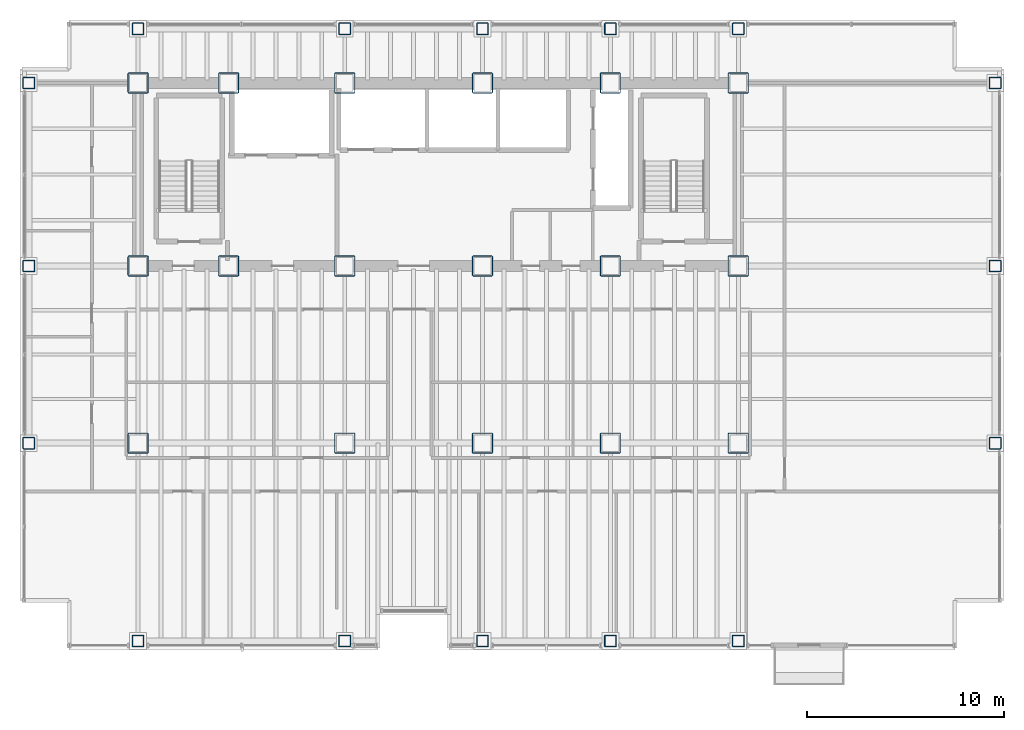
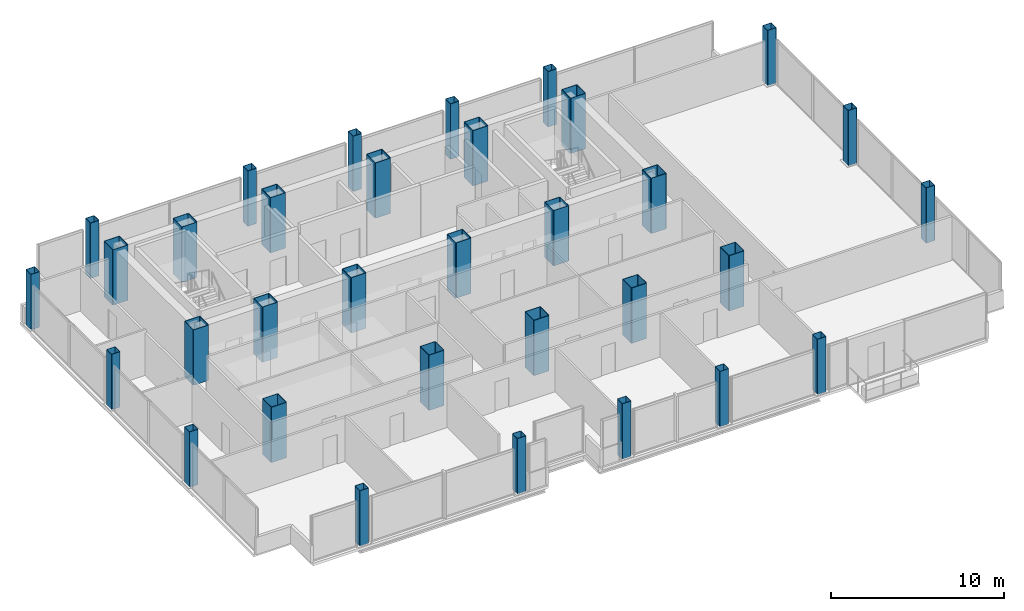
# One storey, part 1 of 22: 33 columns.
"""IFC4 building model written with IfcOpenShell, lengths in metres."""

from ifc_helpers import new_model, si_unit, direction, frame, origin, origin_2d, place, context, subcontext, project, spatial, hollow_rectangle, extrude, material, material_profile, profile_set, type_object, element, save


model = new_model("IFC4")

# Units and contexts
model_context = context("Model", 3, precision=1e-05, world=origin(), true_north=direction((0.0, 1.0)))
body_context = subcontext(model_context, "Body", "Model", "MODEL_VIEW")
ifc_project = project(units=[si_unit("LENGTHUNIT", "METRE"), si_unit("AREAUNIT", "SQUARE_METRE"), si_unit("VOLUMEUNIT", "CUBIC_METRE"), si_unit("PLANEANGLEUNIT", "RADIAN"), si_unit("MASSUNIT", "GRAM", prefix="KILO")], contexts=[model_context])

# Site, building, storey
site_placement = place(None, origin())
site = spatial("IfcSite", under=ifc_project, at=site_placement, CompositionType="ELEMENT")
building_placement = place(site_placement, origin())
building = spatial("IfcBuilding", under=site, at=building_placement, Name="Noeulbin Bourse Tower", CompositionType="ELEMENT")
storey_placement = place(building_placement, frame((0.0, 0.0, 85.0)))
storey = spatial("IfcBuildingStorey", under=building, at=storey_placement, Name="L21", CompositionType="ELEMENT", Elevation=85.0)

# Columns
ifc_material = material(Name="Steel S460", Category="steel")
ifc_material_profile_1 = material_profile(ifc_material, hollow_rectangle(XDim=0.60009765625, YDim=0.60009765625, WallThickness=0.02587890625, InnerFilletRadius=0.012939453125, OuterFilletRadius=0.0390625, at=origin_2d()), Name="BOX-600x600x26", Category="LoadBearing")
ifc_profile_set_1 = profile_set([ifc_material_profile_1], Name="Steel S460")
column_type_1 = type_object("IfcColumnType", Name="COL-PER-Z1", PredefinedType="COLUMN", material=ifc_profile_set_1)
for number, where, z_axis, x_axis, name in (
    (1, (7.949951171875, 20.0, 0.0), (0.0, 0.0, 1.0), (1.0, 0.0, 0.0), "Tower Perimeter Column COL-PER-Z1 01"),
    (2, (7.949951171875, 29.0, 0.0), (0.0, 0.0, 1.0), (1.0, 0.0, 0.0), "Tower Perimeter Column COL-PER-Z1 02"),
    (3, (7.949951171875, 38.300048828125, 0.0), (0.0, 0.0, 1.0), (1.0, 0.0, 0.0), "Tower Perimeter Column COL-PER-Z1 03"),
    (4, (13.5, 9.949951171875, 0.0), (0.0, 0.0, 1.0), (1.0, 0.0, 0.0), "Tower Perimeter Column COL-PER-Z1 04"),
    (5, (13.5, 41.050048828125, 0.0), (0.0, 0.0, 1.0), (1.0, 0.0, 0.0), "Tower Perimeter Column COL-PER-Z1 05"),
    (6, (24.0, 9.949951171875, 0.0), (0.0, 0.0, 1.0), (1.0, 0.0, 0.0), "Tower Perimeter Column COL-PER-Z1 06"),
    (7, (24.0, 41.050048828125, 0.0), (0.0, 0.0, 1.0), (1.0, 0.0, 0.0), "Tower Perimeter Column COL-PER-Z1 07"),
    (8, (31.0, 9.949951171875, 0.0), (0.0, 0.0, 1.0), (1.0, 0.0, 0.0), "Tower Perimeter Column COL-PER-Z1 08"),
    (9, (31.0, 41.050048828125, 0.0), (0.0, 0.0, 1.0), (1.0, 0.0, 0.0), "Tower Perimeter Column COL-PER-Z1 09"),
    (10, (37.5, 9.949951171875, 0.0), (0.0, 0.0, 1.0), (1.0, 0.0, 0.0), "Tower Perimeter Column COL-PER-Z1 10"),
    (11, (37.5, 41.050048828125, 0.0), (0.0, 0.0, 1.0), (1.0, 0.0, 0.0), "Tower Perimeter Column COL-PER-Z1 11"),
    (12, (44.0, 9.949951171875, 0.0), (0.0, 0.0, 1.0), (1.0, 0.0, 0.0), "Tower Perimeter Column COL-PER-Z1 12"),
    (13, (44.0, 41.050048828125, 0.0), (0.0, 0.0, 1.0), (1.0, 0.0, 0.0), "Tower Perimeter Column COL-PER-Z1 13"),
    (14, (57.050048828125, 20.0, 0.0), (0.0, 0.0, 1.0), (1.0, 0.0, 0.0), "Tower Perimeter Column COL-PER-Z1 14"),
    (15, (57.050048828125, 29.0, 0.0), (0.0, 0.0, 1.0), (1.0, 0.0, 0.0), "Tower Perimeter Column COL-PER-Z1 15"),
    (16, (57.050048828125, 38.300048828125, 0.0), (0.0, 0.0, 1.0), (1.0, 0.0, 0.0), "Tower Perimeter Column COL-PER-Z1 16"),
):
    element("IfcColumn", number, at=place(storey_placement, frame(where, z_axis=z_axis, x_axis=x_axis)), inside=storey, type_object=column_type_1, Name=name, PredefinedType="COLUMN", context=body_context, shape_type="SweptSolid", body=[
        extrude(hollow_rectangle(XDim=0.60009765625, YDim=0.60009765625, WallThickness=0.02587890625, InnerFilletRadius=0.012939453125, OuterFilletRadius=0.0390625, at=origin_2d()), origin(), (0.0, 0.0, 1.0), 3.89990234375),
    ])
ifc_material_profile_2 = material_profile(ifc_material, hollow_rectangle(XDim=1.050048828125, YDim=1.050048828125, WallThickness=0.0380859375, InnerFilletRadius=0.01904296875, OuterFilletRadius=0.056884765625, at=origin_2d()), Name="BOX-1050x1050x38", Category="LoadBearing")
ifc_profile_set_2 = profile_set([ifc_material_profile_2], Name="Steel S460")
column_type_2 = type_object("IfcColumnType", Name="COL-TRK-Z1", PredefinedType="COLUMN", material=ifc_profile_set_2)
for number, where, z_axis, x_axis, name in (
    (17, (13.5, 29.0, 0.0), (0.0, 0.0, 1.0), (1.0, 0.0, 0.0), "Tower Trunk Mega-Column COL-TRK-Z1 01"),
    (18, (13.5, 38.300048828125, 0.0), (0.0, 0.0, 1.0), (1.0, 0.0, 0.0), "Tower Trunk Mega-Column COL-TRK-Z1 02"),
    (19, (18.10009765625, 29.0, 0.0), (0.0, 0.0, 1.0), (1.0, 0.0, 0.0), "Tower Trunk Mega-Column COL-TRK-Z1 03"),
    (20, (18.10009765625, 38.300048828125, 0.0), (0.0, 0.0, 1.0), (1.0, 0.0, 0.0), "Tower Trunk Mega-Column COL-TRK-Z1 04"),
    (21, (24.0, 29.0, 0.0), (0.0, 0.0, 1.0), (1.0, 0.0, 0.0), "Tower Trunk Mega-Column COL-TRK-Z1 05"),
    (22, (24.0, 38.300048828125, 0.0), (0.0, 0.0, 1.0), (1.0, 0.0, 0.0), "Tower Trunk Mega-Column COL-TRK-Z1 06"),
    (23, (31.0, 29.0, 0.0), (0.0, 0.0, 1.0), (1.0, 0.0, 0.0), "Tower Trunk Mega-Column COL-TRK-Z1 07"),
    (24, (31.0, 38.300048828125, 0.0), (0.0, 0.0, 1.0), (1.0, 0.0, 0.0), "Tower Trunk Mega-Column COL-TRK-Z1 08"),
    (25, (37.5, 29.0, 0.0), (0.0, 0.0, 1.0), (1.0, 0.0, 0.0), "Tower Trunk Mega-Column COL-TRK-Z1 09"),
    (26, (37.5, 38.300048828125, 0.0), (0.0, 0.0, 1.0), (1.0, 0.0, 0.0), "Tower Trunk Mega-Column COL-TRK-Z1 10"),
    (27, (44.0, 29.0, 0.0), (0.0, 0.0, 1.0), (1.0, 0.0, 0.0), "Tower Trunk Mega-Column COL-TRK-Z1 11"),
    (28, (44.0, 38.300048828125, 0.0), (0.0, 0.0, 1.0), (1.0, 0.0, 0.0), "Tower Trunk Mega-Column COL-TRK-Z1 12"),
    (29, (13.5, 20.0, 0.0), (0.0, 0.0, 1.0), (1.0, 0.0, 0.0), "Tower Trunk Mega-Column COL-TRK-Z1 13"),
    (30, (24.0, 20.0, 0.0), (0.0, 0.0, 1.0), (1.0, 0.0, 0.0), "Tower Trunk Mega-Column COL-TRK-Z1 14"),
    (31, (31.0, 20.0, 0.0), (0.0, 0.0, 1.0), (1.0, 0.0, 0.0), "Tower Trunk Mega-Column COL-TRK-Z1 15"),
    (32, (37.5, 20.0, 0.0), (0.0, 0.0, 1.0), (1.0, 0.0, 0.0), "Tower Trunk Mega-Column COL-TRK-Z1 16"),
    (33, (44.0, 20.0, 0.0), (0.0, 0.0, 1.0), (1.0, 0.0, 0.0), "Tower Trunk Mega-Column COL-TRK-Z1 17"),
):
    element("IfcColumn", number, at=place(storey_placement, frame(where, z_axis=z_axis, x_axis=x_axis)), inside=storey, type_object=column_type_2, Name=name, PredefinedType="COLUMN", context=body_context, shape_type="SweptSolid", body=[
        extrude(hollow_rectangle(XDim=1.050048828125, YDim=1.050048828125, WallThickness=0.0380859375, InnerFilletRadius=0.01904296875, OuterFilletRadius=0.056884765625, at=origin_2d()), origin(), (0.0, 0.0, 1.0), 3.89990234375),
    ])

save(model, "model.ifc")
